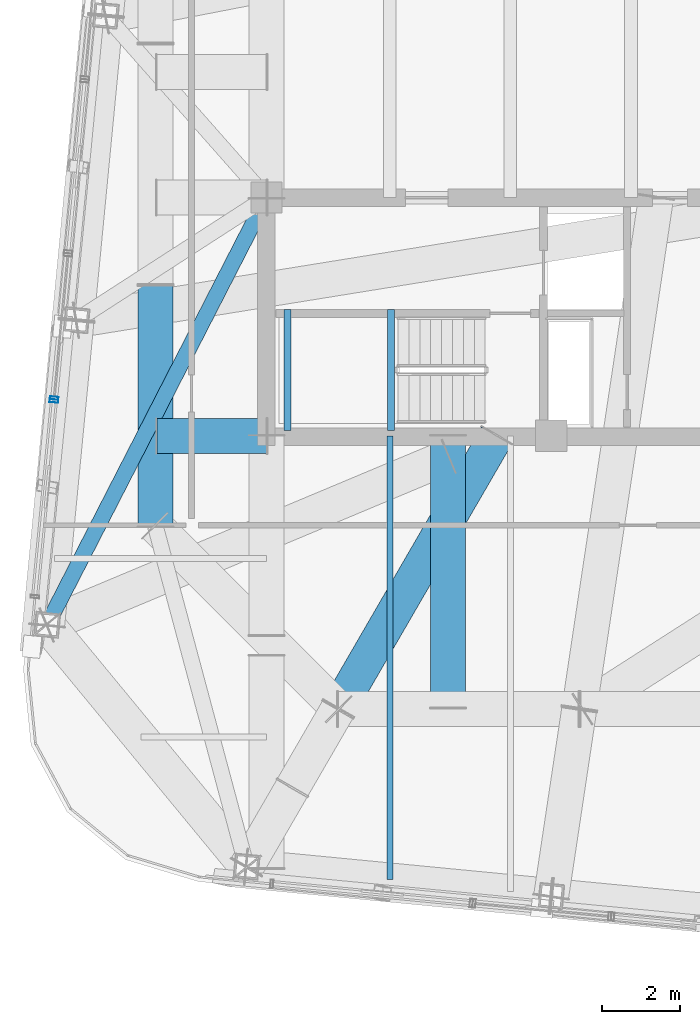
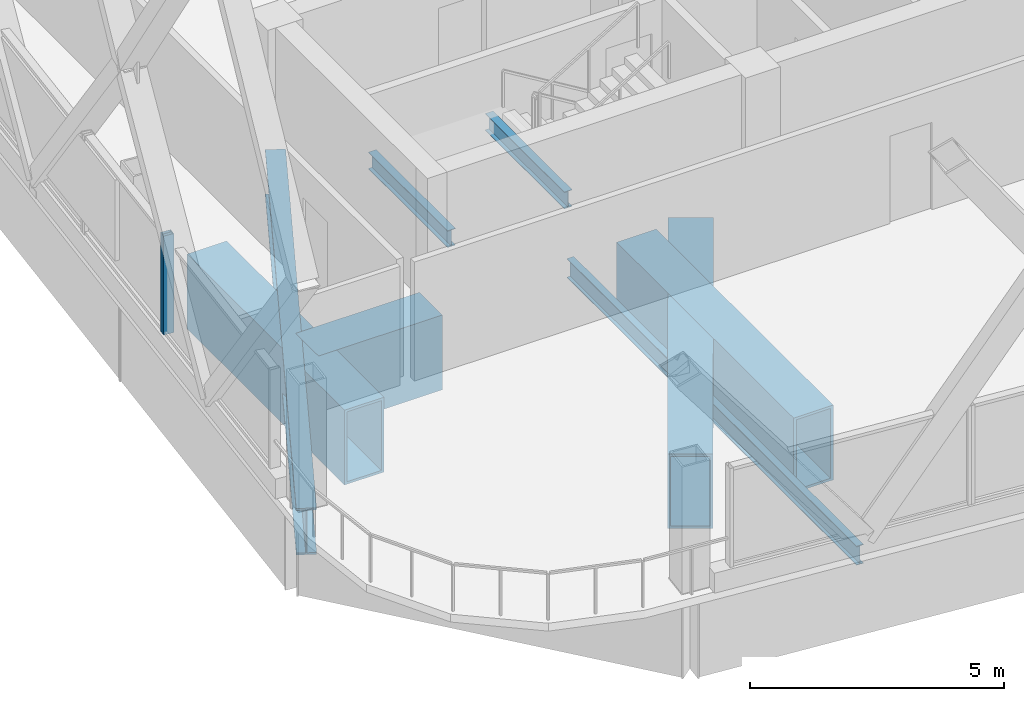
# One storey, part 6 of 31: 8 beams, 2 members, 2 elements without a shape of their own.
"""IFC4 building model written with IfcOpenShell, lengths in metres."""

from ifc_helpers import new_model, si_unit, direction, frame, origin, origin_2d, place, context, subcontext, project, spatial, hollow_rectangle, i_section, extrude, material, layer, layer_set, material_profile, profile_set, type_object, element, aggregate, save


model = new_model("IFC4")

# Units and contexts
model_context = context("Model", 3, precision=1e-05, world=origin(), true_north=direction((0.0, 1.0)))
body_context = subcontext(model_context, "Body", "Model", "MODEL_VIEW")
ifc_project = project(units=[si_unit("LENGTHUNIT", "METRE"), si_unit("AREAUNIT", "SQUARE_METRE"), si_unit("VOLUMEUNIT", "CUBIC_METRE"), si_unit("PLANEANGLEUNIT", "RADIAN"), si_unit("MASSUNIT", "GRAM", prefix="KILO")], contexts=[model_context])

# Site, building, storey
site_placement = place(None, origin())
site = spatial("IfcSite", under=ifc_project, at=site_placement, CompositionType="ELEMENT")
building_placement = place(site_placement, origin())
building = spatial("IfcBuilding", under=site, at=building_placement, Name="Qhalaya Broadcast Tower", CompositionType="ELEMENT")
storey_placement = place(building_placement, frame((0.0, 0.0, 242.85009765625)))
storey = spatial("IfcBuildingStorey", under=building, at=storey_placement, Name="L71", CompositionType="ELEMENT", Elevation=242.85009765625)

# Beams
ifc_material_1 = material(Name="Structural Steel ASTM A572 Grade 50", Category="steel")
ifc_material_profile_1 = material_profile(ifc_material_1, hollow_rectangle(XDim=0.89990234375, YDim=1.800048828125, WallThickness=0.06005859375, at=origin_2d()), Name="BOX 900x1800x60")
ifc_profile_set_1 = profile_set([ifc_material_profile_1], Name="Structural Steel ASTM A572 Grade 50")
beam_type_1 = type_object("IfcBeamType", Name="Block Cantilever Transfer Box Girder TG1", PredefinedType="USERDEFINED", material=ifc_profile_set_1)
beam_1_placement = place(storey_placement, frame((-12.22998046875, -4.8701171875, -1.090087890625), z_axis=(0.0, -1.0, 0.0), x_axis=(1.0, 0.0, 0.0)))
element("IfcBeam", 1, at=beam_1_placement, inside=storey, type_object=beam_type_1, Name="L71 TG1 L71-TGL-15", ObjectType="GIRDER", PredefinedType="USERDEFINED", context=body_context, shape_type="SweptSolid", body=[
    extrude(hollow_rectangle(XDim=0.89990234375, YDim=1.800048828125, WallThickness=0.06005859375, at=origin_2d()), origin(), (0.0, 0.0, 1.0), 6.199951171875),
])
beam_2_placement = place(storey_placement, frame((-4.699951171875, -15.72998046875, -1.090087890625), z_axis=(0.0, 1.0, 0.0), x_axis=(-1.0, 0.0, 0.0)))
element("IfcBeam", 2, at=beam_2_placement, inside=storey, type_object=beam_type_1, Name="L71 TG1 L71-TGIMSW-1", ObjectType="GIRDER", PredefinedType="USERDEFINED", context=body_context, shape_type="SweptSolid", body=[
    extrude(hollow_rectangle(XDim=0.89990234375, YDim=1.800048828125, WallThickness=0.06005859375, at=origin_2d()), origin(), (0.0, 0.0, 1.0), 6.97998046875),
])
beam_3_placement = place(storey_placement, frame((-12.18994140625, -8.75, -1.090087890625), z_axis=(1.0, 0.0, 0.0), x_axis=(0.0, 1.0, 0.0)))
element("IfcBeam", 3, at=beam_3_placement, inside=storey, type_object=beam_type_1, Name="L71 TG1 L71-TGIY1W-1", ObjectType="GIRDER", PredefinedType="USERDEFINED", context=body_context, shape_type="SweptSolid", body=[
    extrude(hollow_rectangle(XDim=0.89990234375, YDim=1.800048828125, WallThickness=0.06005859375, at=origin_2d()), origin(), (0.0, 0.0, 1.0), 2.81494140625),
])
beam_4_placement = place(storey_placement, frame((-3.4599609375, -8.75, -1.090087890625), z_axis=(-0.501575799159, -0.865113702179, 0.0), x_axis=(0.865113702179, -0.501575799159, 0.0)))
element("IfcBeam", 4, at=beam_4_placement, inside=storey, type_object=beam_type_1, Name="L71 Collinear Back-Span Transfer Box Girder 01", ObjectType="GIRDER", PredefinedType="USERDEFINED", context=body_context, shape_type="SweptSolid", body=[
    extrude(hollow_rectangle(XDim=0.89990234375, YDim=1.800048828125, WallThickness=0.06005859375, at=origin_2d()), origin(), (0.0, 0.0, 1.0), 8.114501953125),
])
ifc_material_2 = material(Name="Structural Steel ASTM A992 Grade 50", Category="steel")
ifc_material_profile_2 = material_profile(ifc_material_2, i_section(OverallWidth=0.154052734375, OverallDepth=0.458984375, WebThickness=0.009033203125, FlangeThickness=0.015380859375, at=origin_2d()), Name="W18X46")
ifc_profile_set_2 = profile_set([ifc_material_profile_2], Name="Structural Steel ASTM A992 Grade 50")
beam_type_2 = type_object("IfcBeamType", Name="Composite Floor Joist J04", PredefinedType="JOIST", material=ifc_profile_set_2)
beam_5_placement = place(storey_placement, frame((-6.199951171875, -20.1630859375, -0.419677734375), z_axis=(0.0, 1.0, 0.0), x_axis=(-1.0, 0.0, 0.0)))
element("IfcBeam", 5, at=beam_5_placement, inside=storey, type_object=beam_type_2, Name="L71 J04 L71-JNS1-1", PredefinedType="JOIST", context=body_context, shape_type="SweptSolid", body=[
    extrude(i_section(OverallWidth=0.154052734375, OverallDepth=0.458984375, WebThickness=0.009033203125, FlangeThickness=0.015380859375, at=origin_2d()), origin(), (0.0, 0.0, 1.0), 11.4130859375),
])
ifc_material_profile_3 = material_profile(ifc_material_2, i_section(OverallWidth=0.404052734375, OverallDepth=1.117919921875, WebThickness=0.026123046875, FlangeThickness=0.044921875, at=origin_2d()), Name="W44X335")
ifc_profile_set_3 = profile_set([ifc_material_profile_3], Name="Structural Steel ASTM A992 Grade 50")
beam_type_3 = type_object("IfcBeamType", Name="Podium Long-Span Primary Girder PG1", PredefinedType="USERDEFINED", material=ifc_profile_set_3)
beam_6_placement = place(storey_placement, frame((-9.375, -2.625, -0.7490234375), z_axis=(-0.456508156047, -0.88971922732, 0.0), x_axis=(0.88971922732, -0.456508156047, 0.0)))
element("IfcBeam", 6, at=beam_6_placement, inside=storey, type_object=beam_type_3, Name="L71 Column-to-Column Moment Tie Girder 16-1", ObjectType="GIRDER", PredefinedType="USERDEFINED", context=body_context, shape_type="SweptSolid", body=[
    extrude(i_section(OverallWidth=0.404052734375, OverallDepth=1.117919921875, WebThickness=0.026123046875, FlangeThickness=0.044921875, at=origin_2d()), origin(), (0.0, 0.0, 1.0), 12.3447265625),
])

# Curtain wall, member
ifc_material_3 = material(Name="Solar-Control Low-E Triple Glazing", Category="glass")
ifc_layer_1 = layer(ifc_material_3, 0.219970703125, Name="Solar-Control Low-E Triple Glazing")
ifc_layer_set_1 = layer_set([ifc_layer_1], Name="Solar-Control Low-E Triple Glazing")
curtain_wall_type_1 = type_object("IfcCurtainWallType", Name="High-Altitude Upper-Shaft Triple Low-E Curtain Wall CW-04", PredefinedType="NOTDEFINED", material=ifc_layer_set_1)
curtain_wall_1_placement = place(storey_placement, origin())
curtain_wall_1 = element("IfcCurtainWall", 7, at=curtain_wall_1_placement, inside=storey, type_object=curtain_wall_type_1, Name="L71 Unitised Curtain Wall L71-CW-W4", PredefinedType="NOTDEFINED")
ifc_material_4 = material(Name="Anodised Aluminium 6063-T6", Category="aluminium")
ifc_material_profile_4 = material_profile(ifc_material_4, hollow_rectangle(XDim=0.074951171875, YDim=0.219970703125, WallThickness=0.00390625, at=origin_2d()), Name="ALU-MUL 75x220x4")
ifc_profile_set_4 = profile_set([ifc_material_profile_4], Name="Anodised Aluminium 6063-T6")
member_type = type_object("IfcMemberType", Name="Unitised Curtain-Wall Mullion M01", PredefinedType="MULLION", material=ifc_profile_set_4)
member_1_placement = place(storey_placement, frame((-14.8310546875, -7.78125, 0.47998046875), z_axis=(0.0, 0.0, 1.0), x_axis=(-0.095839673292, -0.995396783712, 0.0)))
member_1 = element("IfcMember", 8, at=member_1_placement, type_object=member_type, Name="CW-04 mullion 2", PredefinedType="MULLION", context=body_context, shape_type="SweptSolid", body=[
    extrude(hollow_rectangle(XDim=0.074951171875, YDim=0.219970703125, WallThickness=0.00390625, at=origin_2d()), origin(), (0.0, 0.0, 1.0), 2.3798828125),
])
aggregate(curtain_wall_1, [member_1])

ifc_material_5 = material(Name="Fired Architectural Terracotta", Category="masonry")
ifc_layer_2 = layer(ifc_material_5, 0.219970703125, Name="Fired Architectural Terracotta")
ifc_layer_set_2 = layer_set([ifc_layer_2], Name="Fired Architectural Terracotta")
curtain_wall_type_2 = type_object("IfcCurtainWallType", Name="Block-Cap Unitised Terracotta Spandrel Wall CW-07", PredefinedType="NOTDEFINED", material=ifc_layer_set_2)
curtain_wall_2_placement = place(storey_placement, origin())
curtain_wall_2 = element("IfcCurtainWall", 9, at=curtain_wall_2_placement, inside=storey, type_object=curtain_wall_type_2, Name="L71 Unitised Curtain Wall L71-CW-W5", PredefinedType="NOTDEFINED")
member_2_placement = place(storey_placement, frame((-14.83837890625, -7.855712890625, 0.47998046875), z_axis=(0.0, 0.0, 1.0), x_axis=(-0.095847607498, -0.995396019751, 0.0)))
member_2 = element("IfcMember", 10, at=member_2_placement, type_object=member_type, Name="CW-07 mullion 1", PredefinedType="MULLION", context=body_context, shape_type="SweptSolid", body=[
    extrude(hollow_rectangle(XDim=0.074951171875, YDim=0.219970703125, WallThickness=0.00390625, at=origin_2d()), origin(), (0.0, 0.0, 1.0), 2.3798828125),
])
aggregate(curtain_wall_2, [member_2])

# Beams
ifc_material_profile_5 = material_profile(ifc_material_2, i_section(OverallWidth=0.177978515625, OverallDepth=0.406005859375, WebThickness=0.0078125, FlangeThickness=0.0126953125, at=origin_2d()), Name="W16X40")
ifc_profile_set_5 = profile_set([ifc_material_profile_5], Name="Structural Steel ASTM A992 Grade 50")
beam_type_4 = type_object("IfcBeamType", Name="Upper Perimeter Spandrel Beam SP2", PredefinedType="SPANDREL", material=ifc_profile_set_5)
for number, where, z_axis, x_axis, name in (
    (11, (-8.830078125, -8.6201171875, 1.121826171875), (0.0, 1.0, 0.0), (-1.0, 0.0, 0.0), "L71 ST-2 Half-Landing Bearer Beam 1"),
    (12, (-6.175048828125, -8.6201171875, 1.121826171875), (0.0, 1.0, 0.0), (-1.0, 0.0, 0.0), "L71 ST-2 Half-Landing Bearer Beam 2"),
):
    element("IfcBeam", number, at=place(storey_placement, frame(where, z_axis=z_axis, x_axis=x_axis)), inside=storey, type_object=beam_type_4, Name=name, PredefinedType="SPANDREL", context=body_context, shape_type="SweptSolid", body=[
        extrude(i_section(OverallWidth=0.177978515625, OverallDepth=0.406005859375, WebThickness=0.0078125, FlangeThickness=0.0126953125, at=origin_2d()), origin(), (0.0, 0.0, 1.0), 3.1201171875),
    ])

save(model, "model.ifc")
